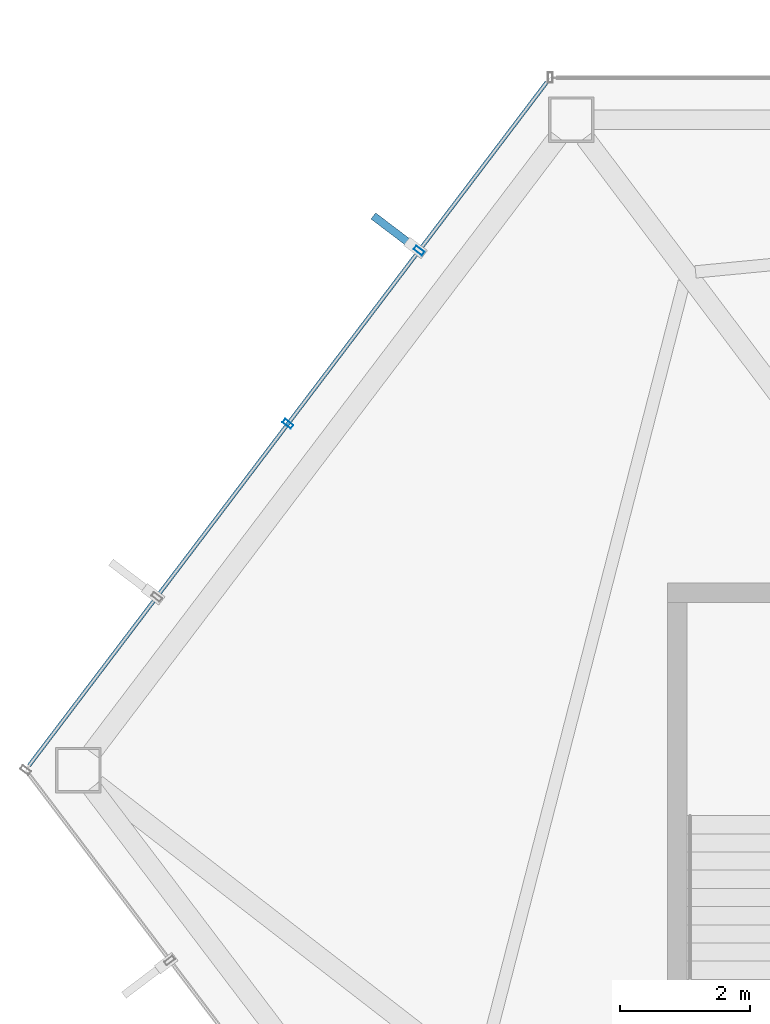
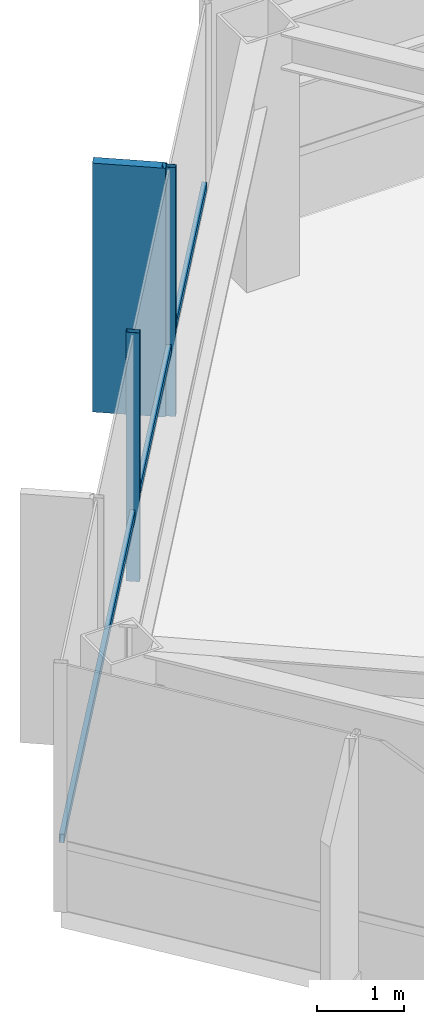
# One storey, part 12 of 28: 4 members, 1 element without a shape of its own.
"""IFC4 building model written with IfcOpenShell, lengths in metres."""

from ifc_helpers import new_model, si_unit, direction, frame, origin, origin_2d, place, context, subcontext, project, spatial, rectangle, hollow_rectangle, extrude, material, layer, layer_set, material_profile, profile_set, type_object, element, aggregate, save


model = new_model("IFC4")

# Units and contexts
model_context = context("Model", 3, precision=1e-05, world=origin(), true_north=direction((0.0, 1.0)))
body_context = subcontext(model_context, "Body", "Model", "MODEL_VIEW")
ifc_project = project(units=[si_unit("LENGTHUNIT", "METRE"), si_unit("AREAUNIT", "SQUARE_METRE"), si_unit("VOLUMEUNIT", "CUBIC_METRE"), si_unit("PLANEANGLEUNIT", "RADIAN"), si_unit("MASSUNIT", "GRAM", prefix="KILO")], contexts=[model_context])

# Site, building, storey
site_placement = place(None, origin())
site = spatial("IfcSite", under=ifc_project, at=site_placement, CompositionType="ELEMENT")
building_placement = place(site_placement, origin())
building = spatial("IfcBuilding", under=site, at=building_placement, Name="Zarrinselat Tower", CompositionType="ELEMENT")
storey_placement = place(building_placement, frame((0.0, 0.0, 164.56005859375)))
storey = spatial("IfcBuildingStorey", under=building, at=storey_placement, Name="L40", CompositionType="ELEMENT", Elevation=164.56005859375)

# Curtain wall, members
ifc_material_1 = material(Name="Extruded Aluminium Alloy EN AW-6063 T6", Category="aluminium")
ifc_layer = layer(ifc_material_1, 0.175048828125)
ifc_layer_set = layer_set([ifc_layer], Name="Extruded Aluminium Alloy EN AW-6063 T6")
curtain_wall_type = type_object("IfcCurtainWallType", Name="CWS-HTL", PredefinedType="NOTDEFINED", material=ifc_layer_set)
curtain_wall_placement = place(storey_placement, origin())
curtain_wall = element("IfcCurtainWall", 1, at=curtain_wall_placement, inside=storey, type_object=curtain_wall_type, Name="L40 Unitised Curtain Wall CW-L40-E02", PredefinedType="NOTDEFINED")
ifc_material_2 = material(Name="Extruded Aluminium Alloy EN AW-6063 T6", Category="aluminium")
ifc_material_profile_1 = material_profile(ifc_material_2, hollow_rectangle(XDim=0.070068359375, YDim=0.159912109375, WallThickness=0.00390625, at=origin_2d()), Name="RHS 160x70x4")
ifc_profile_set_1 = profile_set([ifc_material_profile_1], Name="Extruded Aluminium Alloy EN AW-6063 T6")
member_type_1 = type_object("IfcMemberType", Name="MEM-CW-MUL2", PredefinedType="MULLION", material=ifc_profile_set_1)
member_1_placement = place(storey_placement, frame((21.2548828125, 46.172119140625, 0.0), z_axis=(0.0, 0.0, 1.0), x_axis=(-0.603854523079, -0.797094545808, 0.0)))
member_1 = element("IfcMember", 2, at=member_1_placement, type_object=member_type_1, Name="CW-L40-E02 Mullion 1", PredefinedType="MULLION", context=body_context, shape_type="SweptSolid", body=[
    extrude(hollow_rectangle(XDim=0.070068359375, YDim=0.159912109375, WallThickness=0.00390625, at=origin_2d()), origin(), (0.0, 0.0, 1.0), 3.5),
])
member_2_placement = place(storey_placement, frame((19.234619140625, 43.5048828125, 0.0), z_axis=(0.0, 0.0, 1.0), x_axis=(-0.603854523079, -0.797094545808, 0.0)))
member_2 = element("IfcMember", 3, at=member_2_placement, type_object=member_type_1, Name="CW-L40-E02 Mullion 2", PredefinedType="MULLION", context=body_context, shape_type="SweptSolid", body=[
    extrude(hollow_rectangle(XDim=0.070068359375, YDim=0.159912109375, WallThickness=0.00390625, at=origin_2d()), origin(), (0.0, 0.0, 1.0), 3.5),
])
ifc_material_3 = material(Name="Extruded Aluminium Alloy EN AW-6063 T6", Category="aluminium")
ifc_material_profile_2 = material_profile(ifc_material_3, hollow_rectangle(XDim=0.06005859375, YDim=0.1201171875, WallThickness=0.00390625, at=origin_2d()), Name="RHS 120x60x4")
ifc_profile_set_2 = profile_set([ifc_material_profile_2], Name="Extruded Aluminium Alloy EN AW-6063 T6")
member_type_2 = type_object("IfcMemberType", Name="MEM-CW-TRN2", PredefinedType="USERDEFINED", material=ifc_profile_set_2)
member_3_placement = place(storey_placement, frame((23.22119140625, 48.76708984375, 0.949951171875), z_axis=(-0.603871572164, -0.797081629654, 0.0), x_axis=(0.797081629654, -0.603871572164, 0.0)))
member_3 = element("IfcMember", 4, at=member_3_placement, type_object=member_type_2, Name="CW-L40-E02 Transom 1", ObjectType="TRANSOM", PredefinedType="USERDEFINED", context=body_context, shape_type="SweptSolid", body=[
    extrude(hollow_rectangle(XDim=0.06005859375, YDim=0.1201171875, WallThickness=0.00390625, at=origin_2d()), origin(), (0.0, 0.0, 1.0), 13.203369140625),
])
ifc_material_4 = material(Name="Honed Cream Travertine Stone", Category="masonry")
ifc_material_profile_3 = material_profile(ifc_material_4, rectangle(XDim=0.1201171875, YDim=0.85009765625, at=origin_2d()), Name="FIN 850x120")
ifc_profile_set_3 = profile_set([ifc_material_profile_3], Name="Honed Cream Travertine Stone")
member_type_3 = type_object("IfcMemberType", Name="MEM-STONE-FIN", PredefinedType="USERDEFINED", material=ifc_profile_set_3)
member_4_placement = place(storey_placement, frame((20.88818359375, 46.44970703125, 0.0), z_axis=(0.0, 0.0, 1.0), x_axis=(0.603854523079, 0.797094545808, 0.0)))
member_4 = element("IfcMember", 5, at=member_4_placement, type_object=member_type_3, Name="L40 Stone Shading Fin CW-L40-E02-01", ObjectType="FIN", PredefinedType="USERDEFINED", context=body_context, shape_type="SweptSolid", body=[
    extrude(rectangle(XDim=0.1201171875, YDim=0.85009765625, at=origin_2d()), origin(), (0.0, 0.0, 1.0), 3.5),
])
aggregate(curtain_wall, [member_1, member_4, member_2, member_3])

save(model, "model.ifc")
